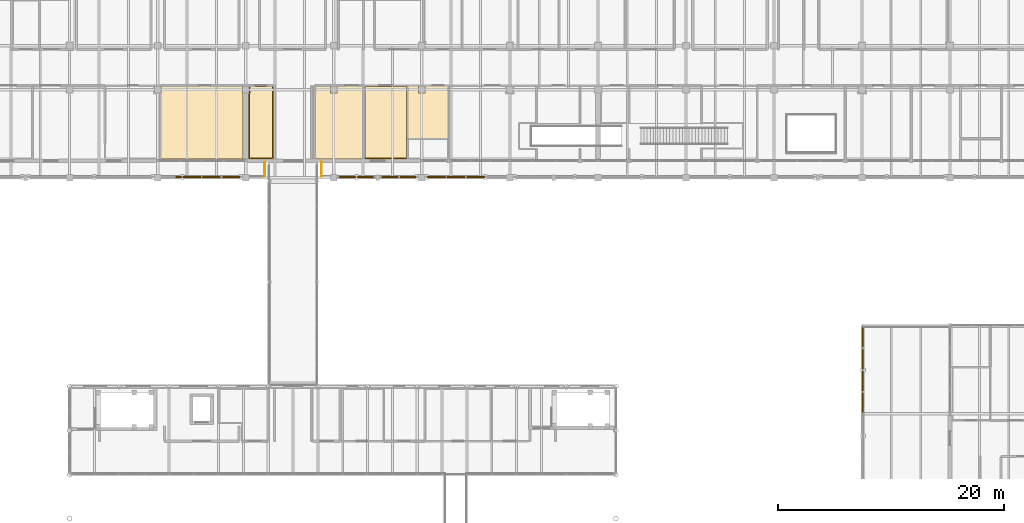
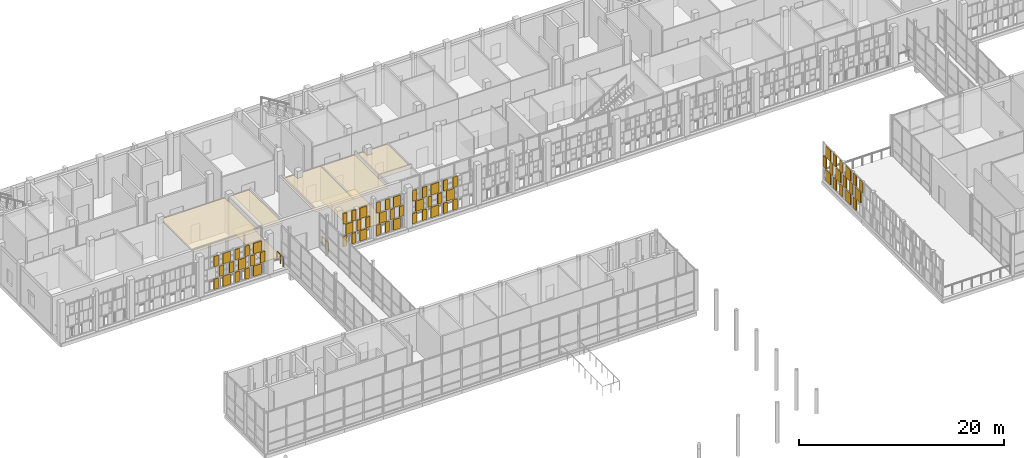
# One storey, part 131 of 138: 71 coverings, 2 railings.
"""IFC4 building model written with IfcOpenShell, lengths in metres."""

from ifc_helpers import new_model, si_unit, direction, frame, origin, origin_2d, place, context, subcontext, project, spatial, polyline, rectangle, circle, outline, extrude, material, layer, layer_set, type_object, element, save


model = new_model("IFC4")

# Units and contexts
model_context = context("Model", 3, precision=1e-05, world=origin(), true_north=direction((0.0, 1.0)))
body_context = subcontext(model_context, "Body", "Model", "MODEL_VIEW")
ifc_project = project(units=[si_unit("LENGTHUNIT", "METRE"), si_unit("AREAUNIT", "SQUARE_METRE"), si_unit("VOLUMEUNIT", "CUBIC_METRE"), si_unit("PLANEANGLEUNIT", "RADIAN"), si_unit("MASSUNIT", "GRAM", prefix="KILO")], contexts=[model_context])

# Site, building, storey
site_placement = place(None, origin())
site = spatial("IfcSite", under=ifc_project, at=site_placement, CompositionType="ELEMENT")
building_placement = place(site_placement, origin())
building = spatial("IfcBuilding", under=site, at=building_placement, Name="Celorna Specialist Clinic", CompositionType="ELEMENT")
storey_placement = place(building_placement, frame((0.0, 0.0, 4.800048828125)))
storey = spatial("IfcBuildingStorey", under=building, at=storey_placement, Name="L01", CompositionType="ELEMENT", Elevation=4.800048828125)

# Railings
ifc_material_1 = material(Name="Stainless steel and laminated glass balustrade", Category="steel")
railing_type = type_object("IfcRailingType", Name="BL-01", PredefinedType="BALUSTRADE", material=ifc_material_1)
railing_1_placement = place(storey_placement, frame((71.8798828125, 97.8798828125, 0.0)))
element("IfcRailing", 1, at=railing_1_placement, inside=storey, type_object=railing_type, Name="West Outpatient Cloister Veranda perimeter balustrade 3", PredefinedType="BALUSTRADE", context=body_context, shape_type="SweptSolid", body=[
    extrude(circle(Radius=0.02392578125, at=origin_2d()), frame((0.0, 0.0, 1.09619140625), z_axis=(0.0, -1.0, 0.0), x_axis=(1.0, 0.0, 0.0)), (0.0, 0.0, 1.0), 1.259765625),
    extrude(circle(Radius=0.02099609375, at=origin_2d()), origin(), (0.0, 0.0, 1.0), 1.072021484375),
    extrude(circle(Radius=0.02099609375, at=origin_2d()), frame((0.0, -0.6298828125, 0.0)), (0.0, 0.0, 1.0), 1.072021484375),
    extrude(circle(Radius=0.02099609375, at=origin_2d()), frame((0.0, -1.259765625, 0.0)), (0.0, 0.0, 1.0), 1.072021484375),
])
railing_2_placement = place(storey_placement, frame((76.919921875, 96.6201171875, 0.0)))
element("IfcRailing", 2, at=railing_2_placement, inside=storey, type_object=railing_type, Name="Central Outpatient Cloister Veranda perimeter balustrade 1", PredefinedType="BALUSTRADE", context=body_context, shape_type="SweptSolid", body=[
    extrude(circle(Radius=0.02392578125, at=origin_2d()), frame((0.0, 0.0, 1.09619140625), z_axis=(0.0, 1.0, 0.0), x_axis=(-1.0, 0.0, 0.0)), (0.0, 0.0, 1.0), 1.259765625),
    extrude(circle(Radius=0.02099609375, at=origin_2d()), origin(), (0.0, 0.0, 1.0), 1.072021484375),
    extrude(circle(Radius=0.02099609375, at=origin_2d()), frame((0.0, 0.6298828125, 0.0)), (0.0, 0.0, 1.0), 1.072021484375),
    extrude(circle(Radius=0.02099609375, at=origin_2d()), frame((0.0, 1.259765625, 0.0)), (0.0, 0.0, 1.0), 1.072021484375),
])

# Coverings
ifc_material_2 = material(Name="Hygienic acoustic mineral-fibre ceiling")
ifc_layer_1 = layer(ifc_material_2, 0.030029296875, Name="Hygienic acoustic mineral-fibre ceiling")
ifc_layer_set_1 = layer_set([ifc_layer_1], Name="Hygienic acoustic mineral-fibre ceiling")
covering_type_1 = type_object("IfcCoveringType", Name="CE-01", PredefinedType="CEILING", material=ifc_layer_set_1)
covering_1_placement = place(storey_placement, frame((0.0, 0.0, 3.989990234375)))
element("IfcCovering", 3, at=covering_1_placement, inside=storey, type_object=covering_type_1, Name="Acoustic ceiling L01-055", PredefinedType="CEILING", context=body_context, shape_type="SweptSolid", body=[
    extrude(outline(polyline([(62.695068359375, 104.6650390625), (69.905029296875, 104.6650390625), (69.905029296875, 104.60498046875), (69.89501953125, 104.60498046875), (69.89501953125, 103.9951171875), (69.965087890625, 103.9951171875), (69.965087890625, 98.155029296875), (62.655029296875, 98.155029296875), (62.655029296875, 103.9951171875), (62.705078125, 103.9951171875), (62.705078125, 104.60498046875), (62.695068359375, 104.60498046875), (62.695068359375, 104.6650390625)])), origin(), (0.0, 0.0, 1.0), 0.030029296875),
])
covering_2_placement = place(storey_placement, frame((0.0, 0.0, 3.989990234375)))
element("IfcCovering", 4, at=covering_2_placement, inside=storey, type_object=covering_type_1, Name="Acoustic ceiling L01-056", PredefinedType="CEILING", context=body_context, shape_type="SweptSolid", body=[
    extrude(outline(polyline([(70.4951171875, 104.6650390625), (72.64501953125, 104.6650390625), (72.64501953125, 98.155029296875), (70.455078125, 98.155029296875), (70.455078125, 103.9951171875), (70.5048828125, 103.9951171875), (70.5048828125, 104.60498046875), (70.4951171875, 104.60498046875), (70.4951171875, 104.6650390625)])), origin(), (0.0, 0.0, 1.0), 0.030029296875),
])
covering_3_placement = place(storey_placement, frame((0.0, 0.0, 3.989990234375)))
element("IfcCovering", 5, at=covering_3_placement, inside=storey, type_object=covering_type_1, Name="Acoustic ceiling L01-057", PredefinedType="CEILING", context=body_context, shape_type="SweptSolid", body=[
    extrude(outline(polyline([(77.705078125, 104.6650390625), (77.705078125, 104.60498046875), (77.695068359375, 104.60498046875), (77.695068359375, 103.9951171875), (78.304931640625, 103.9951171875), (78.304931640625, 104.60498046875), (78.294921875, 104.60498046875), (78.294921875, 104.6650390625), (80.68505859375, 104.6650390625), (80.68505859375, 98.155029296875), (76.304931640625, 98.155029296875), (76.304931640625, 104.6650390625), (77.705078125, 104.6650390625)])), origin(), (0.0, 0.0, 1.0), 0.030029296875),
])
covering_4_placement = place(storey_placement, frame((0.0, 0.0, 3.989990234375)))
element("IfcCovering", 6, at=covering_4_placement, inside=storey, type_object=covering_type_1, Name="Acoustic ceiling L01-058", PredefinedType="CEILING", context=body_context, shape_type="SweptSolid", body=[
    extrude(outline(polyline([(84.534912109375, 104.6650390625), (84.534912109375, 98.155029296875), (80.655029296875, 98.155029296875), (80.655029296875, 104.6650390625), (84.534912109375, 104.6650390625)])), origin(), (0.0, 0.0, 1.0), 0.030029296875),
])
covering_5_placement = place(storey_placement, frame((0.0, 0.0, 3.989990234375)))
element("IfcCovering", 7, at=covering_5_placement, inside=storey, type_object=covering_type_1, Name="Acoustic ceiling L01-059", PredefinedType="CEILING", context=body_context, shape_type="SweptSolid", body=[
    extrude(outline(polyline([(85.5048828125, 104.6650390625), (85.5048828125, 104.60498046875), (85.4951171875, 104.60498046875), (85.4951171875, 103.9951171875), (86.10498046875, 103.9951171875), (86.10498046875, 104.60498046875), (86.094970703125, 104.60498046875), (86.094970703125, 104.6650390625), (88.18505859375, 104.6650390625), (88.18505859375, 99.93505859375), (84.5048828125, 99.93505859375), (84.5048828125, 104.6650390625), (85.5048828125, 104.6650390625)])), origin(), (0.0, 0.0, 1.0), 0.030029296875),
])
ifc_material_3 = material(Name="Perforated terracotta brick weave cladding", Category="masonry")
ifc_layer_2 = layer(ifc_material_3, 0.114990234375, Name="Perforated terracotta brick weave cladding")
ifc_layer_set_2 = layer_set([ifc_layer_2], Name="Perforated terracotta brick weave cladding")
covering_type_2 = type_object("IfcCoveringType", Name="CL-02", PredefinedType="CLADDING", material=ifc_layer_set_2)
for number, where, z_axis, x_axis, name in (
    (8, (64.264404296875, 96.570068359375, 0.10009765625), (0.0, 0.0, 1.0), (1.0, 0.0, 0.0), "Woven perforated terracotta brick course #654"),
    (9, (64.264404296875, 96.570068359375, 2.793212890625), (0.0, 0.0, 1.0), (1.0, 0.0, 0.0), "Woven perforated terracotta brick course #657"),
):
    element("IfcCovering", number, at=place(storey_placement, frame(where, z_axis=z_axis, x_axis=x_axis)), inside=storey, type_object=covering_type_2, Name=name, PredefinedType="CLADDING", context=body_context, shape_type="SweptSolid", body=[
        extrude(rectangle(XDim=0.4912109375, YDim=0.114990234375, at=origin_2d()), origin(), (0.0, 0.0, 1.0), 1.24658203125),
    ])
covering_6_placement = place(storey_placement, frame((65.43505859375, 96.570068359375, 0.10009765625), z_axis=(0.0, 0.0, 1.0), x_axis=(1.0, 0.0, 0.0)))
element("IfcCovering", 10, at=covering_6_placement, inside=storey, type_object=covering_type_2, Name="Woven perforated terracotta brick course #658", PredefinedType="CLADDING", context=body_context, shape_type="SweptSolid", body=[
    extrude(rectangle(XDim=0.869384765625, YDim=0.114990234375, at=origin_2d()), origin(), (0.0, 0.0, 1.0), 1.24658203125),
])
for number, where, z_axis, x_axis, name in (
    (11, (64.87548828125, 96.570068359375, 1.44677734375), (0.0, 0.0, 1.0), (1.0, 0.0, 0.0), "Woven perforated terracotta brick course #659"),
    (12, (65.994384765625, 96.570068359375, 1.44677734375), (0.0, 0.0, 1.0), (1.0, 0.0, 0.0), "Woven perforated terracotta brick course #660"),
):
    element("IfcCovering", number, at=place(storey_placement, frame(where, z_axis=z_axis, x_axis=x_axis)), inside=storey, type_object=covering_type_2, Name=name, PredefinedType="CLADDING", context=body_context, shape_type="SweptSolid", body=[
        extrude(rectangle(XDim=0.4912109375, YDim=0.114990234375, at=origin_2d()), origin(), (0.0, 0.0, 1.0), 1.24658203125),
    ])
covering_7_placement = place(storey_placement, frame((65.43505859375, 96.570068359375, 2.793212890625), z_axis=(0.0, 0.0, 1.0), x_axis=(1.0, 0.0, 0.0)))
element("IfcCovering", 13, at=covering_7_placement, inside=storey, type_object=covering_type_2, Name="Woven perforated terracotta brick course #661", PredefinedType="CLADDING", context=body_context, shape_type="SweptSolid", body=[
    extrude(rectangle(XDim=0.869384765625, YDim=0.114990234375, at=origin_2d()), origin(), (0.0, 0.0, 1.0), 1.24658203125),
])
for number, where, z_axis, x_axis, name in (
    (14, (66.60546875, 96.570068359375, 0.10009765625), (0.0, 0.0, 1.0), (1.0, 0.0, 0.0), "Woven perforated terracotta brick course #662"),
    (15, (67.724609375, 96.570068359375, 0.10009765625), (0.0, 0.0, 1.0), (1.0, 0.0, 0.0), "Woven perforated terracotta brick course #663"),
):
    element("IfcCovering", number, at=place(storey_placement, frame(where, z_axis=z_axis, x_axis=x_axis)), inside=storey, type_object=covering_type_2, Name=name, PredefinedType="CLADDING", context=body_context, shape_type="SweptSolid", body=[
        extrude(rectangle(XDim=0.4912109375, YDim=0.114990234375, at=origin_2d()), origin(), (0.0, 0.0, 1.0), 1.24658203125),
    ])
covering_8_placement = place(storey_placement, frame((67.1650390625, 96.570068359375, 1.44677734375), z_axis=(0.0, 0.0, 1.0), x_axis=(1.0, 0.0, 0.0)))
element("IfcCovering", 16, at=covering_8_placement, inside=storey, type_object=covering_type_2, Name="Woven perforated terracotta brick course #664", PredefinedType="CLADDING", context=body_context, shape_type="SweptSolid", body=[
    extrude(rectangle(XDim=0.869384765625, YDim=0.114990234375, at=origin_2d()), origin(), (0.0, 0.0, 1.0), 1.24658203125),
])
for number, where, z_axis, x_axis, name in (
    (17, (66.60546875, 96.570068359375, 2.793212890625), (0.0, 0.0, 1.0), (1.0, 0.0, 0.0), "Woven perforated terracotta brick course #665"),
    (18, (67.724609375, 96.570068359375, 2.793212890625), (0.0, 0.0, 1.0), (1.0, 0.0, 0.0), "Woven perforated terracotta brick course #666"),
):
    element("IfcCovering", number, at=place(storey_placement, frame(where, z_axis=z_axis, x_axis=x_axis)), inside=storey, type_object=covering_type_2, Name=name, PredefinedType="CLADDING", context=body_context, shape_type="SweptSolid", body=[
        extrude(rectangle(XDim=0.4912109375, YDim=0.114990234375, at=origin_2d()), origin(), (0.0, 0.0, 1.0), 1.24658203125),
    ])
covering_9_placement = place(storey_placement, frame((68.89501953125, 96.570068359375, 0.10009765625), z_axis=(0.0, 0.0, 1.0), x_axis=(1.0, 0.0, 0.0)))
element("IfcCovering", 19, at=covering_9_placement, inside=storey, type_object=covering_type_2, Name="Woven perforated terracotta brick course #667", PredefinedType="CLADDING", context=body_context, shape_type="SweptSolid", body=[
    extrude(rectangle(XDim=0.869384765625, YDim=0.114990234375, at=origin_2d()), origin(), (0.0, 0.0, 1.0), 1.24658203125),
])
for number, where, z_axis, x_axis, name in (
    (20, (68.33544921875, 96.570068359375, 1.44677734375), (0.0, 0.0, 1.0), (1.0, 0.0, 0.0), "Woven perforated terracotta brick course #668"),
    (21, (69.45458984375, 96.570068359375, 1.44677734375), (0.0, 0.0, 1.0), (1.0, 0.0, 0.0), "Woven perforated terracotta brick course #669"),
):
    element("IfcCovering", number, at=place(storey_placement, frame(where, z_axis=z_axis, x_axis=x_axis)), inside=storey, type_object=covering_type_2, Name=name, PredefinedType="CLADDING", context=body_context, shape_type="SweptSolid", body=[
        extrude(rectangle(XDim=0.4912109375, YDim=0.114990234375, at=origin_2d()), origin(), (0.0, 0.0, 1.0), 1.24658203125),
    ])
covering_10_placement = place(storey_placement, frame((68.89501953125, 96.570068359375, 2.793212890625), z_axis=(0.0, 0.0, 1.0), x_axis=(1.0, 0.0, 0.0)))
element("IfcCovering", 22, at=covering_10_placement, inside=storey, type_object=covering_type_2, Name="Woven perforated terracotta brick course #670", PredefinedType="CLADDING", context=body_context, shape_type="SweptSolid", body=[
    extrude(rectangle(XDim=0.869384765625, YDim=0.114990234375, at=origin_2d()), origin(), (0.0, 0.0, 1.0), 1.24658203125),
])
for number, where, z_axis, x_axis, name in (
    (23, (78.723388671875, 96.570068359375, 0.10009765625), (0.0, 0.0, 1.0), (1.0, 0.0, 0.0), "Woven perforated terracotta brick course #671"),
    (24, (79.74169921875, 96.570068359375, 0.10009765625), (0.0, 0.0, 1.0), (1.0, 0.0, 0.0), "Woven perforated terracotta brick course #672"),
):
    element("IfcCovering", number, at=place(storey_placement, frame(where, z_axis=z_axis, x_axis=x_axis)), inside=storey, type_object=covering_type_2, Name=name, PredefinedType="CLADDING", context=body_context, shape_type="SweptSolid", body=[
        extrude(rectangle(XDim=0.44677734375, YDim=0.114990234375, at=origin_2d()), origin(), (0.0, 0.0, 1.0), 1.24658203125),
    ])
covering_11_placement = place(storey_placement, frame((79.232421875, 96.570068359375, 1.44677734375), z_axis=(0.0, 0.0, 1.0), x_axis=(1.0, 0.0, 0.0)))
element("IfcCovering", 25, at=covering_11_placement, inside=storey, type_object=covering_type_2, Name="Woven perforated terracotta brick course #673", PredefinedType="CLADDING", context=body_context, shape_type="SweptSolid", body=[
    extrude(rectangle(XDim=0.791015625, YDim=0.114990234375, at=origin_2d()), origin(), (0.0, 0.0, 1.0), 1.24658203125),
])
for number, where, z_axis, x_axis, name in (
    (26, (78.723388671875, 96.570068359375, 2.793212890625), (0.0, 0.0, 1.0), (1.0, 0.0, 0.0), "Woven perforated terracotta brick course #674"),
    (27, (79.74169921875, 96.570068359375, 2.793212890625), (0.0, 0.0, 1.0), (1.0, 0.0, 0.0), "Woven perforated terracotta brick course #675"),
):
    element("IfcCovering", number, at=place(storey_placement, frame(where, z_axis=z_axis, x_axis=x_axis)), inside=storey, type_object=covering_type_2, Name=name, PredefinedType="CLADDING", context=body_context, shape_type="SweptSolid", body=[
        extrude(rectangle(XDim=0.44677734375, YDim=0.114990234375, at=origin_2d()), origin(), (0.0, 0.0, 1.0), 1.24658203125),
    ])
covering_12_placement = place(storey_placement, frame((80.8173828125, 96.570068359375, 0.10009765625), z_axis=(0.0, 0.0, 1.0), x_axis=(1.0, 0.0, 0.0)))
element("IfcCovering", 28, at=covering_12_placement, inside=storey, type_object=covering_type_2, Name="Woven perforated terracotta brick course #676", PredefinedType="CLADDING", context=body_context, shape_type="SweptSolid", body=[
    extrude(rectangle(XDim=0.791015625, YDim=0.114990234375, at=origin_2d()), origin(), (0.0, 0.0, 1.0), 1.24658203125),
])
for number, where, z_axis, x_axis, name in (
    (29, (80.308349609375, 96.570068359375, 1.44677734375), (0.0, 0.0, 1.0), (1.0, 0.0, 0.0), "Woven perforated terracotta brick course #677"),
    (30, (81.32666015625, 96.570068359375, 1.44677734375), (0.0, 0.0, 1.0), (1.0, 0.0, 0.0), "Woven perforated terracotta brick course #678"),
):
    element("IfcCovering", number, at=place(storey_placement, frame(where, z_axis=z_axis, x_axis=x_axis)), inside=storey, type_object=covering_type_2, Name=name, PredefinedType="CLADDING", context=body_context, shape_type="SweptSolid", body=[
        extrude(rectangle(XDim=0.44677734375, YDim=0.114990234375, at=origin_2d()), origin(), (0.0, 0.0, 1.0), 1.24658203125),
    ])
covering_13_placement = place(storey_placement, frame((80.8173828125, 96.570068359375, 2.793212890625), z_axis=(0.0, 0.0, 1.0), x_axis=(1.0, 0.0, 0.0)))
element("IfcCovering", 31, at=covering_13_placement, inside=storey, type_object=covering_type_2, Name="Woven perforated terracotta brick course #679", PredefinedType="CLADDING", context=body_context, shape_type="SweptSolid", body=[
    extrude(rectangle(XDim=0.791015625, YDim=0.114990234375, at=origin_2d()), origin(), (0.0, 0.0, 1.0), 1.24658203125),
])
for number, where, z_axis, x_axis, name in (
    (32, (82.473388671875, 96.570068359375, 0.10009765625), (0.0, 0.0, 1.0), (1.0, 0.0, 0.0), "Woven perforated terracotta brick course #680"),
    (33, (83.49169921875, 96.570068359375, 0.10009765625), (0.0, 0.0, 1.0), (1.0, 0.0, 0.0), "Woven perforated terracotta brick course #681"),
):
    element("IfcCovering", number, at=place(storey_placement, frame(where, z_axis=z_axis, x_axis=x_axis)), inside=storey, type_object=covering_type_2, Name=name, PredefinedType="CLADDING", context=body_context, shape_type="SweptSolid", body=[
        extrude(rectangle(XDim=0.44677734375, YDim=0.114990234375, at=origin_2d()), origin(), (0.0, 0.0, 1.0), 1.24658203125),
    ])
covering_14_placement = place(storey_placement, frame((82.982421875, 96.570068359375, 1.44677734375), z_axis=(0.0, 0.0, 1.0), x_axis=(1.0, 0.0, 0.0)))
element("IfcCovering", 34, at=covering_14_placement, inside=storey, type_object=covering_type_2, Name="Woven perforated terracotta brick course #682", PredefinedType="CLADDING", context=body_context, shape_type="SweptSolid", body=[
    extrude(rectangle(XDim=0.791015625, YDim=0.114990234375, at=origin_2d()), origin(), (0.0, 0.0, 1.0), 1.24658203125),
])
for number, where, z_axis, x_axis, name in (
    (35, (82.473388671875, 96.570068359375, 2.793212890625), (0.0, 0.0, 1.0), (1.0, 0.0, 0.0), "Woven perforated terracotta brick course #683"),
    (36, (83.49169921875, 96.570068359375, 2.793212890625), (0.0, 0.0, 1.0), (1.0, 0.0, 0.0), "Woven perforated terracotta brick course #684"),
):
    element("IfcCovering", number, at=place(storey_placement, frame(where, z_axis=z_axis, x_axis=x_axis)), inside=storey, type_object=covering_type_2, Name=name, PredefinedType="CLADDING", context=body_context, shape_type="SweptSolid", body=[
        extrude(rectangle(XDim=0.44677734375, YDim=0.114990234375, at=origin_2d()), origin(), (0.0, 0.0, 1.0), 1.24658203125),
    ])
covering_15_placement = place(storey_placement, frame((84.5673828125, 96.570068359375, 0.10009765625), z_axis=(0.0, 0.0, 1.0), x_axis=(1.0, 0.0, 0.0)))
element("IfcCovering", 37, at=covering_15_placement, inside=storey, type_object=covering_type_2, Name="Woven perforated terracotta brick course #685", PredefinedType="CLADDING", context=body_context, shape_type="SweptSolid", body=[
    extrude(rectangle(XDim=0.791015625, YDim=0.114990234375, at=origin_2d()), origin(), (0.0, 0.0, 1.0), 1.24658203125),
])
for number, where, z_axis, x_axis, name in (
    (38, (84.058349609375, 96.570068359375, 1.44677734375), (0.0, 0.0, 1.0), (1.0, 0.0, 0.0), "Woven perforated terracotta brick course #686"),
    (39, (85.07666015625, 96.570068359375, 1.44677734375), (0.0, 0.0, 1.0), (1.0, 0.0, 0.0), "Woven perforated terracotta brick course #687"),
):
    element("IfcCovering", number, at=place(storey_placement, frame(where, z_axis=z_axis, x_axis=x_axis)), inside=storey, type_object=covering_type_2, Name=name, PredefinedType="CLADDING", context=body_context, shape_type="SweptSolid", body=[
        extrude(rectangle(XDim=0.44677734375, YDim=0.114990234375, at=origin_2d()), origin(), (0.0, 0.0, 1.0), 1.24658203125),
    ])
covering_16_placement = place(storey_placement, frame((84.5673828125, 96.570068359375, 2.793212890625), z_axis=(0.0, 0.0, 1.0), x_axis=(1.0, 0.0, 0.0)))
element("IfcCovering", 40, at=covering_16_placement, inside=storey, type_object=covering_type_2, Name="Woven perforated terracotta brick course #688", PredefinedType="CLADDING", context=body_context, shape_type="SweptSolid", body=[
    extrude(rectangle(XDim=0.791015625, YDim=0.114990234375, at=origin_2d()), origin(), (0.0, 0.0, 1.0), 1.24658203125),
])
for number, where, z_axis, x_axis, name in (
    (41, (86.54541015625, 96.570068359375, 0.10009765625), (0.0, 0.0, 1.0), (1.0, 0.0, 0.0), "Woven perforated terracotta brick course #689"),
    (42, (87.66455078125, 96.570068359375, 0.10009765625), (0.0, 0.0, 1.0), (1.0, 0.0, 0.0), "Woven perforated terracotta brick course #690"),
):
    element("IfcCovering", number, at=place(storey_placement, frame(where, z_axis=z_axis, x_axis=x_axis)), inside=storey, type_object=covering_type_2, Name=name, PredefinedType="CLADDING", context=body_context, shape_type="SweptSolid", body=[
        extrude(rectangle(XDim=0.4912109375, YDim=0.114990234375, at=origin_2d()), origin(), (0.0, 0.0, 1.0), 1.24658203125),
    ])
covering_17_placement = place(storey_placement, frame((87.10498046875, 96.570068359375, 1.44677734375), z_axis=(0.0, 0.0, 1.0), x_axis=(1.0, 0.0, 0.0)))
element("IfcCovering", 43, at=covering_17_placement, inside=storey, type_object=covering_type_2, Name="Woven perforated terracotta brick course #691", PredefinedType="CLADDING", context=body_context, shape_type="SweptSolid", body=[
    extrude(rectangle(XDim=0.869384765625, YDim=0.114990234375, at=origin_2d()), origin(), (0.0, 0.0, 1.0), 1.24658203125),
])
for number, where, z_axis, x_axis, name in (
    (44, (86.54541015625, 96.570068359375, 2.793212890625), (0.0, 0.0, 1.0), (1.0, 0.0, 0.0), "Woven perforated terracotta brick course #692"),
    (45, (87.66455078125, 96.570068359375, 2.793212890625), (0.0, 0.0, 1.0), (1.0, 0.0, 0.0), "Woven perforated terracotta brick course #693"),
):
    element("IfcCovering", number, at=place(storey_placement, frame(where, z_axis=z_axis, x_axis=x_axis)), inside=storey, type_object=covering_type_2, Name=name, PredefinedType="CLADDING", context=body_context, shape_type="SweptSolid", body=[
        extrude(rectangle(XDim=0.4912109375, YDim=0.114990234375, at=origin_2d()), origin(), (0.0, 0.0, 1.0), 1.24658203125),
    ])
covering_18_placement = place(storey_placement, frame((88.8349609375, 96.570068359375, 0.10009765625), z_axis=(0.0, 0.0, 1.0), x_axis=(1.0, 0.0, 0.0)))
element("IfcCovering", 46, at=covering_18_placement, inside=storey, type_object=covering_type_2, Name="Woven perforated terracotta brick course #694", PredefinedType="CLADDING", context=body_context, shape_type="SweptSolid", body=[
    extrude(rectangle(XDim=0.869384765625, YDim=0.114990234375, at=origin_2d()), origin(), (0.0, 0.0, 1.0), 1.24658203125),
])
for number, where, z_axis, x_axis, name in (
    (47, (88.275390625, 96.570068359375, 1.44677734375), (0.0, 0.0, 1.0), (1.0, 0.0, 0.0), "Woven perforated terracotta brick course #695"),
    (48, (89.394287109375, 96.570068359375, 1.44677734375), (0.0, 0.0, 1.0), (1.0, 0.0, 0.0), "Woven perforated terracotta brick course #696"),
):
    element("IfcCovering", number, at=place(storey_placement, frame(where, z_axis=z_axis, x_axis=x_axis)), inside=storey, type_object=covering_type_2, Name=name, PredefinedType="CLADDING", context=body_context, shape_type="SweptSolid", body=[
        extrude(rectangle(XDim=0.4912109375, YDim=0.114990234375, at=origin_2d()), origin(), (0.0, 0.0, 1.0), 1.24658203125),
    ])
covering_19_placement = place(storey_placement, frame((88.8349609375, 96.570068359375, 2.793212890625), z_axis=(0.0, 0.0, 1.0), x_axis=(1.0, 0.0, 0.0)))
element("IfcCovering", 49, at=covering_19_placement, inside=storey, type_object=covering_type_2, Name="Woven perforated terracotta brick course #697", PredefinedType="CLADDING", context=body_context, shape_type="SweptSolid", body=[
    extrude(rectangle(XDim=0.869384765625, YDim=0.114990234375, at=origin_2d()), origin(), (0.0, 0.0, 1.0), 1.24658203125),
])
for number, where, z_axis, x_axis, name in (
    (50, (90.005615234375, 96.570068359375, 0.10009765625), (0.0, 0.0, 1.0), (1.0, 0.0, 0.0), "Woven perforated terracotta brick course #698"),
    (51, (91.12451171875, 96.570068359375, 0.10009765625), (0.0, 0.0, 1.0), (1.0, 0.0, 0.0), "Woven perforated terracotta brick course #699"),
):
    element("IfcCovering", number, at=place(storey_placement, frame(where, z_axis=z_axis, x_axis=x_axis)), inside=storey, type_object=covering_type_2, Name=name, PredefinedType="CLADDING", context=body_context, shape_type="SweptSolid", body=[
        extrude(rectangle(XDim=0.4912109375, YDim=0.114990234375, at=origin_2d()), origin(), (0.0, 0.0, 1.0), 1.24658203125),
    ])
covering_20_placement = place(storey_placement, frame((90.56494140625, 96.570068359375, 1.44677734375), z_axis=(0.0, 0.0, 1.0), x_axis=(1.0, 0.0, 0.0)))
element("IfcCovering", 52, at=covering_20_placement, inside=storey, type_object=covering_type_2, Name="Woven perforated terracotta brick course #700", PredefinedType="CLADDING", context=body_context, shape_type="SweptSolid", body=[
    extrude(rectangle(XDim=0.869384765625, YDim=0.114990234375, at=origin_2d()), origin(), (0.0, 0.0, 1.0), 1.24658203125),
])
for number, where, z_axis, x_axis, name in (
    (53, (90.005615234375, 96.570068359375, 2.793212890625), (0.0, 0.0, 1.0), (1.0, 0.0, 0.0), "Woven perforated terracotta brick course #701"),
    (54, (91.12451171875, 96.570068359375, 2.793212890625), (0.0, 0.0, 1.0), (1.0, 0.0, 0.0), "Woven perforated terracotta brick course #702"),
):
    element("IfcCovering", number, at=place(storey_placement, frame(where, z_axis=z_axis, x_axis=x_axis)), inside=storey, type_object=covering_type_2, Name=name, PredefinedType="CLADDING", context=body_context, shape_type="SweptSolid", body=[
        extrude(rectangle(XDim=0.4912109375, YDim=0.114990234375, at=origin_2d()), origin(), (0.0, 0.0, 1.0), 1.24658203125),
    ])
covering_21_placement = place(storey_placement, frame((124.8701171875, 77.173095703125, 0.10009765625), z_axis=(0.0, 0.0, 1.0), x_axis=(0.0, 1.0, 0.0)))
element("IfcCovering", 55, at=covering_21_placement, inside=storey, type_object=covering_type_2, Name="Woven perforated terracotta brick course #1663", PredefinedType="CLADDING", context=body_context, shape_type="SweptSolid", body=[
    extrude(rectangle(XDim=0.55419921875, YDim=0.114990234375, at=origin_2d()), origin(), (0.0, 0.0, 1.0), 1.313232421875),
])
covering_22_placement = place(storey_placement, frame((124.8701171875, 76.541748046875, 1.51318359375), z_axis=(0.0, 0.0, 1.0), x_axis=(0.0, 1.0, 0.0)))
element("IfcCovering", 56, at=covering_22_placement, inside=storey, type_object=covering_type_2, Name="Woven perforated terracotta brick course #1664", PredefinedType="CLADDING", context=body_context, shape_type="SweptSolid", body=[
    extrude(rectangle(XDim=0.98095703125, YDim=0.114990234375, at=origin_2d()), origin(), (0.0, 0.0, 1.0), 1.3134765625),
])
for number, where, z_axis, x_axis, name in (
    (57, (124.8701171875, 75.910400390625, 2.9267578125), (0.0, 0.0, 1.0), (0.0, 1.0, 0.0), "Woven perforated terracotta brick course #1665"),
    (58, (124.8701171875, 77.173095703125, 2.9267578125), (0.0, 0.0, 1.0), (0.0, 1.0, 0.0), "Woven perforated terracotta brick course #1666"),
):
    element("IfcCovering", number, at=place(storey_placement, frame(where, z_axis=z_axis, x_axis=x_axis)), inside=storey, type_object=covering_type_2, Name=name, PredefinedType="CLADDING", context=body_context, shape_type="SweptSolid", body=[
        extrude(rectangle(XDim=0.55419921875, YDim=0.114990234375, at=origin_2d()), origin(), (0.0, 0.0, 1.0), 1.313232421875),
    ])
covering_23_placement = place(storey_placement, frame((124.8701171875, 78.478271484375, 0.10009765625), z_axis=(0.0, 0.0, 1.0), x_axis=(0.0, 1.0, 0.0)))
element("IfcCovering", 59, at=covering_23_placement, inside=storey, type_object=covering_type_2, Name="Woven perforated terracotta brick course #1667", PredefinedType="CLADDING", context=body_context, shape_type="SweptSolid", body=[
    extrude(rectangle(XDim=0.98095703125, YDim=0.114990234375, at=origin_2d()), origin(), (0.0, 0.0, 1.0), 1.313232421875),
])
for number, where, z_axis, x_axis, name in (
    (60, (124.8701171875, 77.846923828125, 1.51318359375), (0.0, 0.0, 1.0), (0.0, 1.0, 0.0), "Woven perforated terracotta brick course #1668"),
    (61, (124.8701171875, 79.109619140625, 1.51318359375), (0.0, 0.0, 1.0), (0.0, 1.0, 0.0), "Woven perforated terracotta brick course #1669"),
):
    element("IfcCovering", number, at=place(storey_placement, frame(where, z_axis=z_axis, x_axis=x_axis)), inside=storey, type_object=covering_type_2, Name=name, PredefinedType="CLADDING", context=body_context, shape_type="SweptSolid", body=[
        extrude(rectangle(XDim=0.55419921875, YDim=0.114990234375, at=origin_2d()), origin(), (0.0, 0.0, 1.0), 1.3134765625),
    ])
covering_24_placement = place(storey_placement, frame((124.8701171875, 78.478271484375, 2.9267578125), z_axis=(0.0, 0.0, 1.0), x_axis=(0.0, 1.0, 0.0)))
element("IfcCovering", 62, at=covering_24_placement, inside=storey, type_object=covering_type_2, Name="Woven perforated terracotta brick course #1670", PredefinedType="CLADDING", context=body_context, shape_type="SweptSolid", body=[
    extrude(rectangle(XDim=0.98095703125, YDim=0.114990234375, at=origin_2d()), origin(), (0.0, 0.0, 1.0), 1.313232421875),
])
for number, where, z_axis, x_axis, name in (
    (63, (124.8701171875, 79.78369140625, 0.10009765625), (0.0, 0.0, 1.0), (0.0, 1.0, 0.0), "Woven perforated terracotta brick course #1671"),
    (64, (124.8701171875, 81.04638671875, 0.10009765625), (0.0, 0.0, 1.0), (0.0, 1.0, 0.0), "Woven perforated terracotta brick course #1672"),
):
    element("IfcCovering", number, at=place(storey_placement, frame(where, z_axis=z_axis, x_axis=x_axis)), inside=storey, type_object=covering_type_2, Name=name, PredefinedType="CLADDING", context=body_context, shape_type="SweptSolid", body=[
        extrude(rectangle(XDim=0.55419921875, YDim=0.114990234375, at=origin_2d()), origin(), (0.0, 0.0, 1.0), 1.313232421875),
    ])
covering_25_placement = place(storey_placement, frame((124.8701171875, 80.4150390625, 1.51318359375), z_axis=(0.0, 0.0, 1.0), x_axis=(0.0, 1.0, 0.0)))
element("IfcCovering", 65, at=covering_25_placement, inside=storey, type_object=covering_type_2, Name="Woven perforated terracotta brick course #1673", PredefinedType="CLADDING", context=body_context, shape_type="SweptSolid", body=[
    extrude(rectangle(XDim=0.98095703125, YDim=0.114990234375, at=origin_2d()), origin(), (0.0, 0.0, 1.0), 1.3134765625),
])
for number, where, z_axis, x_axis, name in (
    (66, (124.8701171875, 79.78369140625, 2.9267578125), (0.0, 0.0, 1.0), (0.0, 1.0, 0.0), "Woven perforated terracotta brick course #1674"),
    (67, (124.8701171875, 81.04638671875, 2.9267578125), (0.0, 0.0, 1.0), (0.0, 1.0, 0.0), "Woven perforated terracotta brick course #1675"),
):
    element("IfcCovering", number, at=place(storey_placement, frame(where, z_axis=z_axis, x_axis=x_axis)), inside=storey, type_object=covering_type_2, Name=name, PredefinedType="CLADDING", context=body_context, shape_type="SweptSolid", body=[
        extrude(rectangle(XDim=0.55419921875, YDim=0.114990234375, at=origin_2d()), origin(), (0.0, 0.0, 1.0), 1.313232421875),
    ])
covering_26_placement = place(storey_placement, frame((124.8701171875, 82.351806640625, 0.10009765625), z_axis=(0.0, 0.0, 1.0), x_axis=(0.0, 1.0, 0.0)))
element("IfcCovering", 68, at=covering_26_placement, inside=storey, type_object=covering_type_2, Name="Woven perforated terracotta brick course #1676", PredefinedType="CLADDING", context=body_context, shape_type="SweptSolid", body=[
    extrude(rectangle(XDim=0.98095703125, YDim=0.114990234375, at=origin_2d()), origin(), (0.0, 0.0, 1.0), 1.313232421875),
])
for number, where, z_axis, x_axis, name in (
    (69, (124.8701171875, 81.720458984375, 1.51318359375), (0.0, 0.0, 1.0), (0.0, 1.0, 0.0), "Woven perforated terracotta brick course #1677"),
    (70, (124.8701171875, 82.98291015625, 1.51318359375), (0.0, 0.0, 1.0), (0.0, 1.0, 0.0), "Woven perforated terracotta brick course #1678"),
):
    element("IfcCovering", number, at=place(storey_placement, frame(where, z_axis=z_axis, x_axis=x_axis)), inside=storey, type_object=covering_type_2, Name=name, PredefinedType="CLADDING", context=body_context, shape_type="SweptSolid", body=[
        extrude(rectangle(XDim=0.55419921875, YDim=0.114990234375, at=origin_2d()), origin(), (0.0, 0.0, 1.0), 1.3134765625),
    ])
covering_27_placement = place(storey_placement, frame((124.8701171875, 82.351806640625, 2.9267578125), z_axis=(0.0, 0.0, 1.0), x_axis=(0.0, 1.0, 0.0)))
element("IfcCovering", 71, at=covering_27_placement, inside=storey, type_object=covering_type_2, Name="Woven perforated terracotta brick course #1679", PredefinedType="CLADDING", context=body_context, shape_type="SweptSolid", body=[
    extrude(rectangle(XDim=0.98095703125, YDim=0.114990234375, at=origin_2d()), origin(), (0.0, 0.0, 1.0), 1.313232421875),
])
ifc_material_4 = material(Name="Seamless antimicrobial clinical vinyl and Lioz terrazzo flooring")
ifc_layer_3 = layer(ifc_material_4, 0.02001953125, Name="Seamless antimicrobial clinical vinyl and Lioz terrazzo flooring")
ifc_layer_set_3 = layer_set([ifc_layer_3], Name="Seamless antimicrobial clinical vinyl and Lioz terrazzo flooring")
covering_type_3 = type_object("IfcCoveringType", Name="FL-01", PredefinedType="FLOORING", material=ifc_layer_set_3)
covering_28_placement = place(storey_placement, origin())
element("IfcCovering", 72, at=covering_28_placement, inside=storey, type_object=covering_type_3, Name="Antimicrobial clinical flooring L01-056", PredefinedType="FLOORING", context=body_context, shape_type="SweptSolid", body=[
    extrude(outline(polyline([(70.5849609375, 104.574951171875), (72.554931640625, 104.574951171875), (72.554931640625, 98.2451171875), (70.544921875, 98.2451171875), (70.544921875, 103.9150390625), (70.5849609375, 103.9150390625), (70.5849609375, 104.574951171875)])), origin(), (0.0, 0.0, 1.0), 0.02001953125),
])
covering_29_placement = place(storey_placement, origin())
element("IfcCovering", 73, at=covering_29_placement, inside=storey, type_object=covering_type_3, Name="Antimicrobial clinical flooring L01-058", PredefinedType="FLOORING", context=body_context, shape_type="SweptSolid", body=[
    extrude(outline(polyline([(80.7451171875, 104.574951171875), (84.445068359375, 104.574951171875), (84.445068359375, 98.2451171875), (80.7451171875, 98.2451171875), (80.7451171875, 104.574951171875)])), origin(), (0.0, 0.0, 1.0), 0.02001953125),
])

save(model, "model.ifc")
